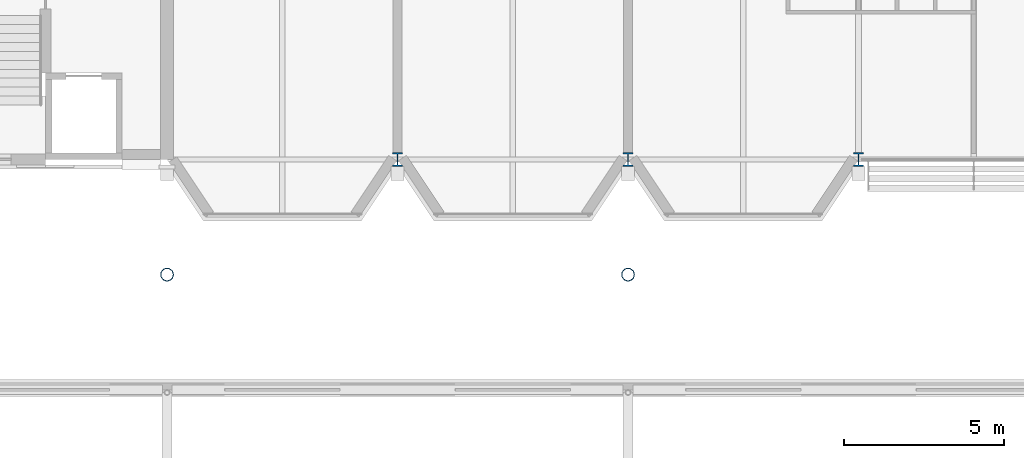
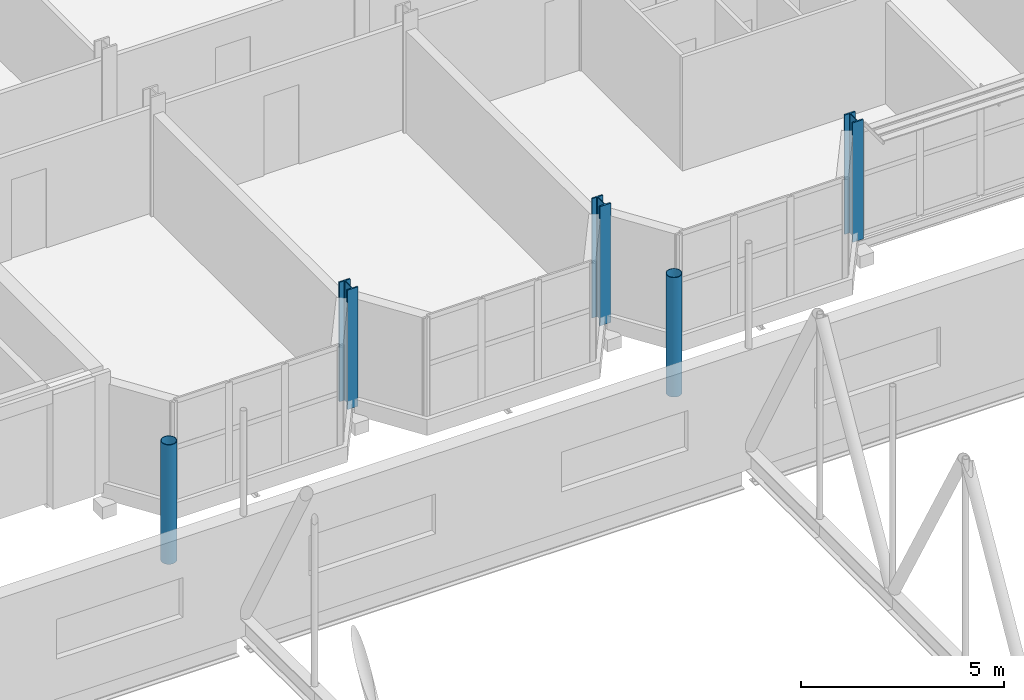
# One storey, part 12 of 142: 5 columns.
"""IFC4 building model written with IfcOpenShell, lengths in metres."""

from ifc_helpers import new_model, si_unit, direction, frame, origin, origin_2d, place, context, subcontext, project, spatial, hollow_circle, i_section, extrude, material, material_profile, profile_set, type_object, element, save


model = new_model("IFC4")

# Units and contexts
model_context = context("Model", 3, precision=1e-05, world=origin(), true_north=direction((0.0, 1.0)))
body_context = subcontext(model_context, "Body", "Model", "MODEL_VIEW")
ifc_project = project(units=[si_unit("LENGTHUNIT", "METRE"), si_unit("AREAUNIT", "SQUARE_METRE"), si_unit("VOLUMEUNIT", "CUBIC_METRE"), si_unit("PLANEANGLEUNIT", "RADIAN"), si_unit("MASSUNIT", "GRAM", prefix="KILO")], contexts=[model_context])

# Site, building, storey
site_placement = place(None, origin())
site = spatial("IfcSite", under=ifc_project, at=site_placement, CompositionType="ELEMENT")
building_placement = place(site_placement, origin())
building = spatial("IfcBuilding", under=site, at=building_placement, Name="Kupolbacken Congress Centre", CompositionType="ELEMENT")
storey_placement = place(building_placement, frame((0.0, 0.0, 14.39990234375)))
storey = spatial("IfcBuildingStorey", under=building, at=storey_placement, Name="L04", CompositionType="ELEMENT", Elevation=14.39990234375)

# Columns
ifc_material_1 = material(Name="Steel S355", Category="steel")
ifc_material_profile_1 = material_profile(ifc_material_1, i_section(OverallWidth=0.306884765625, OverallDepth=0.431884765625, WebThickness=0.02099609375, FlangeThickness=0.0400390625, FilletRadius=0.027099609375, at=origin_2d()), Name="HEM 400")
ifc_profile_set_1 = profile_set([ifc_material_profile_1], Name="Steel S355")
column_type_1 = type_object("IfcColumnType", Name="C02 column HEM 400", PredefinedType="COLUMN", material=ifc_profile_set_1)
for number, where, z_axis, x_axis, name in (
    (1, (115.199951171875, 122.39990234375, 0.0), (0.0, 0.0, 1.0), (1.0, 0.0, 0.0), "S/col/C-T-17T/L04"),
    (2, (122.39990234375, 122.39990234375, 0.0), (0.0, 0.0, 1.0), (1.0, 0.0, 0.0), "S/col/C-T-18T/L04"),
    (3, (129.60009765625, 122.39990234375, 0.0), (0.0, 0.0, 1.0), (1.0, 0.0, 0.0), "S/col/C-T-19T/L04"),
):
    element("IfcColumn", number, at=place(storey_placement, frame(where, z_axis=z_axis, x_axis=x_axis)), inside=storey, type_object=column_type_1, Name=name, PredefinedType="COLUMN", context=body_context, shape_type="SweptSolid", body=[
        extrude(i_section(OverallWidth=0.306884765625, OverallDepth=0.431884765625, WebThickness=0.02099609375, FlangeThickness=0.0400390625, FilletRadius=0.027099609375, at=origin_2d()), origin(), (0.0, 0.0, 1.0), 3.60009765625),
    ])
ifc_material_2 = material(Name="Steel S355", Category="steel")
ifc_material_profile_2 = material_profile(ifc_material_2, hollow_circle(Radius=0.203125, WallThickness=0.01611328125, at=origin_2d()), Name="CHS 406.4 x 16")
ifc_profile_set_2 = profile_set([ifc_material_profile_2], Name="Steel S355")
column_type_2 = type_object("IfcColumnType", Name="C15 roof mast CHS 406.4 x 16", PredefinedType="COLUMN", material=ifc_profile_set_2)
for number, where, z_axis, x_axis, name in (
    (4, (108.0, 118.800048828125, 0.0), (0.0, 0.0, 1.0), (1.0, 0.0, 0.0), "Roof mast M2N"),
    (5, (122.39990234375, 118.800048828125, 0.0), (0.0, 0.0, 1.0), (1.0, 0.0, 0.0), "Roof mast M3N"),
):
    element("IfcColumn", number, at=place(storey_placement, frame(where, z_axis=z_axis, x_axis=x_axis)), inside=storey, type_object=column_type_2, Name=name, PredefinedType="COLUMN", context=body_context, shape_type="SweptSolid", body=[
        extrude(hollow_circle(Radius=0.203125, WallThickness=0.01611328125, at=origin_2d()), origin(), (0.0, 0.0, 1.0), 3.60009765625),
    ])

save(model, "model.ifc")
